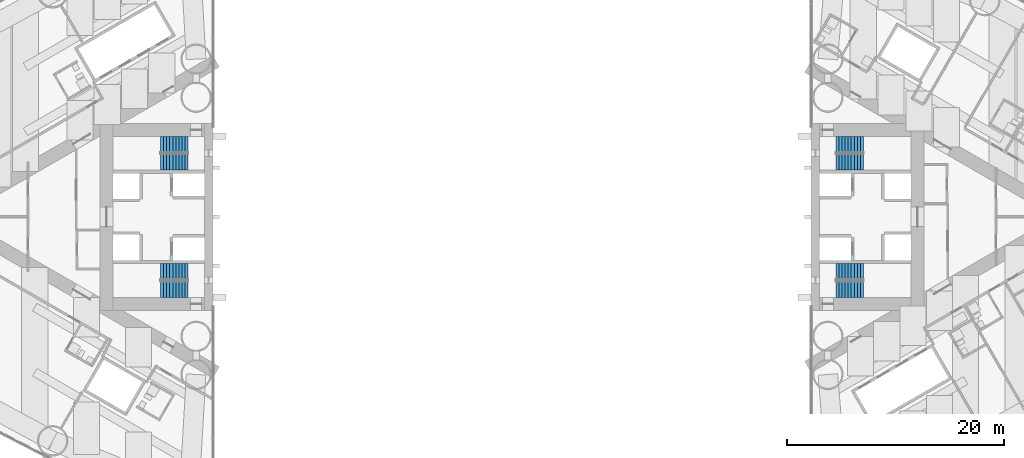
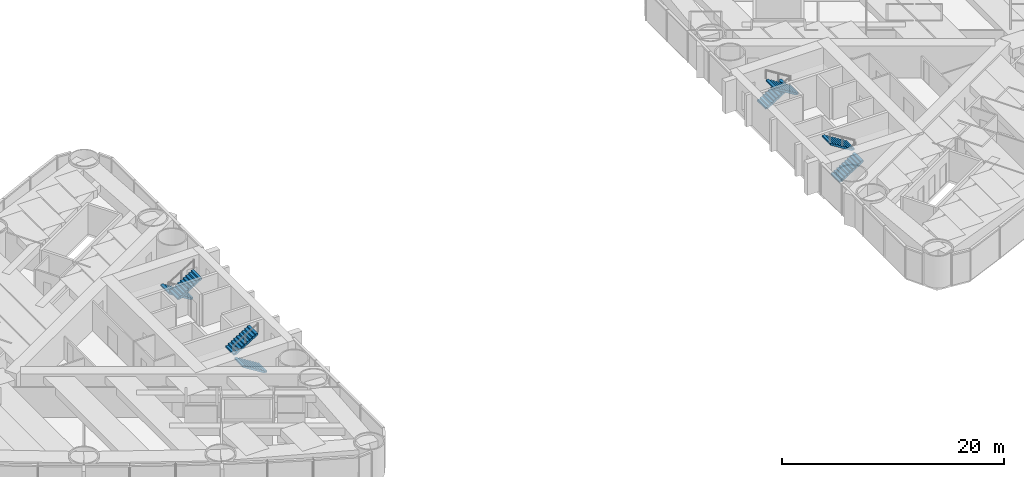
# One storey, part 17 of 19: 8 stair flights, 4 elements without a shape of their own.
"""IFC4 building model written with IfcOpenShell, lengths in metres."""

from ifc_helpers import new_model, si_unit, direction, frame, origin, place, context, subcontext, project, spatial, polyline, outline, extrude, material, type_object, element, aggregate, save


model = new_model("IFC4")

# Units and contexts
model_context = context("Model", 3, precision=1e-05, world=origin(), true_north=direction((0.0, 1.0)))
body_context = subcontext(model_context, "Body", "Model", "MODEL_VIEW")
ifc_project = project(units=[si_unit("LENGTHUNIT", "METRE"), si_unit("AREAUNIT", "SQUARE_METRE"), si_unit("VOLUMEUNIT", "CUBIC_METRE"), si_unit("PLANEANGLEUNIT", "RADIAN"), si_unit("MASSUNIT", "GRAM", prefix="KILO")], contexts=[model_context])

# Site, building, storey
site_placement = place(None, origin())
site = spatial("IfcSite", under=ifc_project, at=site_placement, CompositionType="ELEMENT")
building_placement = place(site_placement, origin())
building = spatial("IfcBuilding", under=site, at=building_placement, Name="Lancet Gate Hotel", CompositionType="ELEMENT")
storey_placement = place(building_placement, frame((0.0, 0.0, 63.5)))
storey = spatial("IfcBuildingStorey", under=building, at=storey_placement, Name="L16", CompositionType="ELEMENT", Elevation=63.5)

# Stair, stair flights
ifc_material_1 = material(Name="Exit stair 20 risers 1500")
stair_type = type_object("IfcStairType", Name="Exit stair 20 risers 1500", PredefinedType="HALF_TURN_STAIR", material=ifc_material_1)
stair_1_placement = place(storey_placement, origin())
stair_1 = element("IfcStair", 1, at=stair_1_placement, inside=storey, type_object=stair_type, Name="T1 stair 1 L16", PredefinedType="HALF_TURN_STAIR")
ifc_material_2 = material(Name="Stair flight 10 risers 175 rise 1500")
stair_flight_type = type_object("IfcStairFlightType", Name="Stair flight 10 risers 175 rise 1500", PredefinedType="STRAIGHT", material=ifc_material_2)
stair_flight_1_placement = place(storey_placement, frame((-29.800048828125, 6.64990234375, 0.0), z_axis=(0.0, 0.0, 1.0), x_axis=(-1.0, 0.0, 0.0)))
stair_flight_1 = element("IfcStairFlight", 2, at=stair_flight_1_placement, type_object=stair_flight_type, Name="ST1 flight 1", NumberOfRisers=10, NumberOfTreads=9, PredefinedType="STRAIGHT", RiserHeight=0.175, TreadLength=0.28, context=body_context, shape_type="SweptSolid", body=[
    extrude(outline(polyline([(0.0, 0.0), (0.0, 0.175048828125), (0.280029296875, 0.175048828125), (0.280029296875, 0.35009765625), (0.56005859375, 0.35009765625), (0.56005859375, 0.52490234375), (0.840087890625, 0.52490234375), (0.840087890625, 0.699951171875), (1.1201171875, 0.699951171875), (1.1201171875, 0.875), (1.39990234375, 0.875), (1.39990234375, 1.050048828125), (1.679931640625, 1.050048828125), (1.679931640625, 1.22509765625), (1.9599609375, 1.22509765625), (1.9599609375, 1.39990234375), (2.239990234375, 1.39990234375), (2.239990234375, 1.574951171875), (2.52001953125, 1.574951171875), (2.52001953125, 1.75), (2.52001953125, 1.398193359375), (0.28271484375, 0.0), (0.0, 0.0)])), frame((0.0, 0.75, 0.0), z_axis=(0.0, -1.0, 0.0), x_axis=(1.0, 0.0, 0.0)), (0.0, 0.0, 1.0), 1.5),
])
stair_flight_2_placement = place(storey_placement, frame((-32.320068359375, 5.050048828125, 1.75), z_axis=(0.0, 0.0, 1.0), x_axis=(1.0, 0.0, 0.0)))
stair_flight_2 = element("IfcStairFlight", 3, at=stair_flight_2_placement, type_object=stair_flight_type, Name="ST1 flight 2", NumberOfRisers=10, NumberOfTreads=9, PredefinedType="STRAIGHT", RiserHeight=0.175, TreadLength=0.28, context=body_context, shape_type="SweptSolid", body=[
    extrude(outline(polyline([(0.0, 0.0), (0.0, 0.175048828125), (0.280029296875, 0.175048828125), (0.280029296875, 0.35009765625), (0.56005859375, 0.35009765625), (0.56005859375, 0.52490234375), (0.840087890625, 0.52490234375), (0.840087890625, 0.699951171875), (1.1201171875, 0.699951171875), (1.1201171875, 0.875), (1.39990234375, 0.875), (1.39990234375, 1.050048828125), (1.679931640625, 1.050048828125), (1.679931640625, 1.22509765625), (1.9599609375, 1.22509765625), (1.9599609375, 1.39990234375), (2.239990234375, 1.39990234375), (2.239990234375, 1.574951171875), (2.52001953125, 1.574951171875), (2.52001953125, 1.75), (2.52001953125, 1.398193359375), (0.28271484375, 0.0), (0.0, 0.0)])), frame((0.0, 0.75, 0.0), z_axis=(0.0, -1.0, 0.0), x_axis=(1.0, 0.0, 0.0)), (0.0, 0.0, 1.0), 1.5),
])
aggregate(stair_1, [stair_flight_1, stair_flight_2])

stair_2_placement = place(storey_placement, origin())
stair_2 = element("IfcStair", 4, at=stair_2_placement, inside=storey, type_object=stair_type, Name="T1 stair 2 L16", PredefinedType="HALF_TURN_STAIR")
stair_flight_3_placement = place(storey_placement, frame((-29.800048828125, -6.64990234375, 0.0), z_axis=(0.0, 0.0, 1.0), x_axis=(-1.0, 0.0, 0.0)))
stair_flight_3 = element("IfcStairFlight", 5, at=stair_flight_3_placement, type_object=stair_flight_type, Name="ST2 flight 1", NumberOfRisers=10, NumberOfTreads=9, PredefinedType="STRAIGHT", RiserHeight=0.175, TreadLength=0.28, context=body_context, shape_type="SweptSolid", body=[
    extrude(outline(polyline([(0.0, 0.0), (0.0, 0.175048828125), (0.280029296875, 0.175048828125), (0.280029296875, 0.35009765625), (0.56005859375, 0.35009765625), (0.56005859375, 0.52490234375), (0.840087890625, 0.52490234375), (0.840087890625, 0.699951171875), (1.1201171875, 0.699951171875), (1.1201171875, 0.875), (1.39990234375, 0.875), (1.39990234375, 1.050048828125), (1.679931640625, 1.050048828125), (1.679931640625, 1.22509765625), (1.9599609375, 1.22509765625), (1.9599609375, 1.39990234375), (2.239990234375, 1.39990234375), (2.239990234375, 1.574951171875), (2.52001953125, 1.574951171875), (2.52001953125, 1.75), (2.52001953125, 1.398193359375), (0.28271484375, 0.0), (0.0, 0.0)])), frame((0.0, 0.75, 0.0), z_axis=(0.0, -1.0, 0.0), x_axis=(1.0, 0.0, 0.0)), (0.0, 0.0, 1.0), 1.5),
])
stair_flight_4_placement = place(storey_placement, frame((-32.320068359375, -5.050048828125, 1.75), z_axis=(0.0, 0.0, 1.0), x_axis=(1.0, 0.0, 0.0)))
stair_flight_4 = element("IfcStairFlight", 6, at=stair_flight_4_placement, type_object=stair_flight_type, Name="ST2 flight 2", NumberOfRisers=10, NumberOfTreads=9, PredefinedType="STRAIGHT", RiserHeight=0.175, TreadLength=0.28, context=body_context, shape_type="SweptSolid", body=[
    extrude(outline(polyline([(0.0, 0.0), (0.0, 0.175048828125), (0.280029296875, 0.175048828125), (0.280029296875, 0.35009765625), (0.56005859375, 0.35009765625), (0.56005859375, 0.52490234375), (0.840087890625, 0.52490234375), (0.840087890625, 0.699951171875), (1.1201171875, 0.699951171875), (1.1201171875, 0.875), (1.39990234375, 0.875), (1.39990234375, 1.050048828125), (1.679931640625, 1.050048828125), (1.679931640625, 1.22509765625), (1.9599609375, 1.22509765625), (1.9599609375, 1.39990234375), (2.239990234375, 1.39990234375), (2.239990234375, 1.574951171875), (2.52001953125, 1.574951171875), (2.52001953125, 1.75), (2.52001953125, 1.398193359375), (0.28271484375, 0.0), (0.0, 0.0)])), frame((0.0, 0.75, 0.0), z_axis=(0.0, -1.0, 0.0), x_axis=(1.0, 0.0, 0.0)), (0.0, 0.0, 1.0), 1.5),
])
aggregate(stair_2, [stair_flight_3, stair_flight_4])

stair_3_placement = place(storey_placement, origin())
stair_3 = element("IfcStair", 7, at=stair_3_placement, inside=storey, type_object=stair_type, Name="T2 stair 1 L16", PredefinedType="HALF_TURN_STAIR")
stair_flight_5_placement = place(storey_placement, frame((29.800048828125, -6.64990234375, 0.0), z_axis=(0.0, 0.0, 1.0), x_axis=(1.0, 0.0, 0.0)))
stair_flight_5 = element("IfcStairFlight", 8, at=stair_flight_5_placement, type_object=stair_flight_type, Name="ST3 flight 1", NumberOfRisers=10, NumberOfTreads=9, PredefinedType="STRAIGHT", RiserHeight=0.175, TreadLength=0.28, context=body_context, shape_type="SweptSolid", body=[
    extrude(outline(polyline([(0.0, 0.0), (0.0, 0.175048828125), (0.280029296875, 0.175048828125), (0.280029296875, 0.35009765625), (0.56005859375, 0.35009765625), (0.56005859375, 0.52490234375), (0.840087890625, 0.52490234375), (0.840087890625, 0.699951171875), (1.1201171875, 0.699951171875), (1.1201171875, 0.875), (1.39990234375, 0.875), (1.39990234375, 1.050048828125), (1.679931640625, 1.050048828125), (1.679931640625, 1.22509765625), (1.9599609375, 1.22509765625), (1.9599609375, 1.39990234375), (2.239990234375, 1.39990234375), (2.239990234375, 1.574951171875), (2.52001953125, 1.574951171875), (2.52001953125, 1.75), (2.52001953125, 1.398193359375), (0.28271484375, 0.0), (0.0, 0.0)])), frame((0.0, 0.75, 0.0), z_axis=(0.0, -1.0, 0.0), x_axis=(1.0, 0.0, 0.0)), (0.0, 0.0, 1.0), 1.5),
])
stair_flight_6_placement = place(storey_placement, frame((32.320068359375, -5.050048828125, 1.75), z_axis=(0.0, 0.0, 1.0), x_axis=(-1.0, 0.0, 0.0)))
stair_flight_6 = element("IfcStairFlight", 9, at=stair_flight_6_placement, type_object=stair_flight_type, Name="ST3 flight 2", NumberOfRisers=10, NumberOfTreads=9, PredefinedType="STRAIGHT", RiserHeight=0.175, TreadLength=0.28, context=body_context, shape_type="SweptSolid", body=[
    extrude(outline(polyline([(0.0, 0.0), (0.0, 0.175048828125), (0.280029296875, 0.175048828125), (0.280029296875, 0.35009765625), (0.56005859375, 0.35009765625), (0.56005859375, 0.52490234375), (0.840087890625, 0.52490234375), (0.840087890625, 0.699951171875), (1.1201171875, 0.699951171875), (1.1201171875, 0.875), (1.39990234375, 0.875), (1.39990234375, 1.050048828125), (1.679931640625, 1.050048828125), (1.679931640625, 1.22509765625), (1.9599609375, 1.22509765625), (1.9599609375, 1.39990234375), (2.239990234375, 1.39990234375), (2.239990234375, 1.574951171875), (2.52001953125, 1.574951171875), (2.52001953125, 1.75), (2.52001953125, 1.398193359375), (0.28271484375, 0.0), (0.0, 0.0)])), frame((0.0, 0.75, 0.0), z_axis=(0.0, -1.0, 0.0), x_axis=(1.0, 0.0, 0.0)), (0.0, 0.0, 1.0), 1.5),
])
aggregate(stair_3, [stair_flight_5, stair_flight_6])

stair_4_placement = place(storey_placement, origin())
stair_4 = element("IfcStair", 10, at=stair_4_placement, inside=storey, type_object=stair_type, Name="T2 stair 2 L16", PredefinedType="HALF_TURN_STAIR")
stair_flight_7_placement = place(storey_placement, frame((29.800048828125, 6.64990234375, 0.0), z_axis=(0.0, 0.0, 1.0), x_axis=(1.0, 0.0, 0.0)))
stair_flight_7 = element("IfcStairFlight", 11, at=stair_flight_7_placement, type_object=stair_flight_type, Name="ST4 flight 1", NumberOfRisers=10, NumberOfTreads=9, PredefinedType="STRAIGHT", RiserHeight=0.175, TreadLength=0.28, context=body_context, shape_type="SweptSolid", body=[
    extrude(outline(polyline([(0.0, 0.0), (0.0, 0.175048828125), (0.280029296875, 0.175048828125), (0.280029296875, 0.35009765625), (0.56005859375, 0.35009765625), (0.56005859375, 0.52490234375), (0.840087890625, 0.52490234375), (0.840087890625, 0.699951171875), (1.1201171875, 0.699951171875), (1.1201171875, 0.875), (1.39990234375, 0.875), (1.39990234375, 1.050048828125), (1.679931640625, 1.050048828125), (1.679931640625, 1.22509765625), (1.9599609375, 1.22509765625), (1.9599609375, 1.39990234375), (2.239990234375, 1.39990234375), (2.239990234375, 1.574951171875), (2.52001953125, 1.574951171875), (2.52001953125, 1.75), (2.52001953125, 1.398193359375), (0.28271484375, 0.0), (0.0, 0.0)])), frame((0.0, 0.75, 0.0), z_axis=(0.0, -1.0, 0.0), x_axis=(1.0, 0.0, 0.0)), (0.0, 0.0, 1.0), 1.5),
])
stair_flight_8_placement = place(storey_placement, frame((32.320068359375, 5.050048828125, 1.75), z_axis=(0.0, 0.0, 1.0), x_axis=(-1.0, 0.0, 0.0)))
stair_flight_8 = element("IfcStairFlight", 12, at=stair_flight_8_placement, type_object=stair_flight_type, Name="ST4 flight 2", NumberOfRisers=10, NumberOfTreads=9, PredefinedType="STRAIGHT", RiserHeight=0.175, TreadLength=0.28, context=body_context, shape_type="SweptSolid", body=[
    extrude(outline(polyline([(0.0, 0.0), (0.0, 0.175048828125), (0.280029296875, 0.175048828125), (0.280029296875, 0.35009765625), (0.56005859375, 0.35009765625), (0.56005859375, 0.52490234375), (0.840087890625, 0.52490234375), (0.840087890625, 0.699951171875), (1.1201171875, 0.699951171875), (1.1201171875, 0.875), (1.39990234375, 0.875), (1.39990234375, 1.050048828125), (1.679931640625, 1.050048828125), (1.679931640625, 1.22509765625), (1.9599609375, 1.22509765625), (1.9599609375, 1.39990234375), (2.239990234375, 1.39990234375), (2.239990234375, 1.574951171875), (2.52001953125, 1.574951171875), (2.52001953125, 1.75), (2.52001953125, 1.398193359375), (0.28271484375, 0.0), (0.0, 0.0)])), frame((0.0, 0.75, 0.0), z_axis=(0.0, -1.0, 0.0), x_axis=(1.0, 0.0, 0.0)), (0.0, 0.0, 1.0), 1.5),
])
aggregate(stair_4, [stair_flight_7, stair_flight_8])

save(model, "model.ifc")
